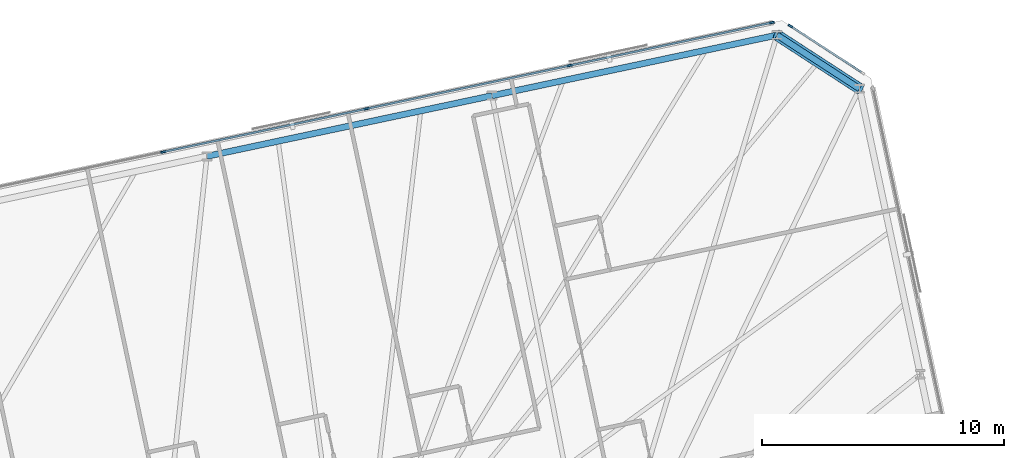
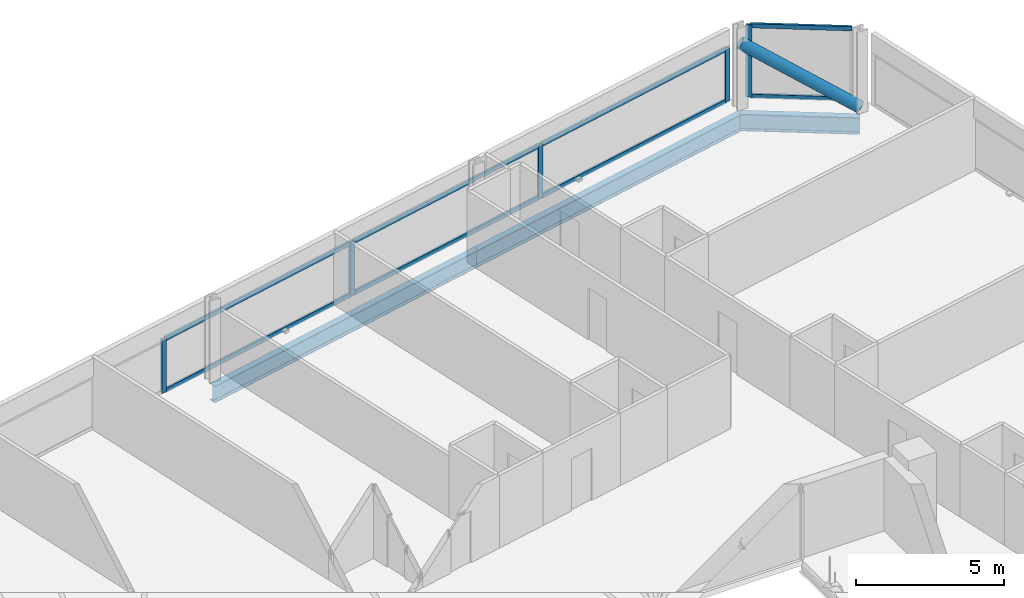
# One storey, part 11 of 20: 14 members, 3 beams, 2 elements without a shape of their own.
"""IFC4 building model written with IfcOpenShell, lengths in metres."""

from ifc_helpers import new_model, si_unit, direction, frame, origin, origin_2d, place, context, subcontext, project, spatial, rectangle, hollow_circle, i_section, extrude, material, material_profile, profile_set, type_object, element, aggregate, save


model = new_model("IFC4")

# Units and contexts
model_context = context("Model", 3, precision=1e-05, world=origin(), true_north=direction((0.0, 1.0)))
body_context = subcontext(model_context, "Body", "Model", "MODEL_VIEW")
ifc_project = project(units=[si_unit("LENGTHUNIT", "METRE"), si_unit("AREAUNIT", "SQUARE_METRE"), si_unit("VOLUMEUNIT", "CUBIC_METRE"), si_unit("PLANEANGLEUNIT", "RADIAN"), si_unit("MASSUNIT", "GRAM", prefix="KILO")], contexts=[model_context])

# Site, building, storey
site_placement = place(None, origin())
site = spatial("IfcSite", under=ifc_project, at=site_placement, CompositionType="ELEMENT")
building_placement = place(site_placement, origin())
building = spatial("IfcBuilding", under=site, at=building_placement, Name="Menara Jurai Vektor", CompositionType="ELEMENT")
storey_placement = place(building_placement, frame((0.0, 0.0, 199.0)))
storey = spatial("IfcBuildingStorey", under=building, at=storey_placement, Name="L52", CompositionType="ELEMENT", Elevation=199.0)

# Curtain wall, member
ifc_material_1 = material(Name="Anodised Pale Aluminium & Low-E Double Glazing", Category="aluminium")
curtain_wall_type = type_object("IfcCurtainWallType", Name="CW-BLK3", PredefinedType="NOTDEFINED", material=ifc_material_1)
curtain_wall_1_placement = place(storey_placement, origin())
curtain_wall_1 = element("IfcCurtainWall", 1, at=curtain_wall_1_placement, inside=storey, type_object=curtain_wall_type, Name="Unitised Curtain Wall L52 F04", PredefinedType="NOTDEFINED")
ifc_material_2 = material(Name="Anodised Pale Aluminium Mullion", Category="aluminium")
ifc_material_profile_1 = material_profile(ifc_material_2, rectangle(XDim=0.0849609375, YDim=0.205078125, at=origin_2d()), Name="ALU MUL 85x205")
ifc_profile_set_1 = profile_set([ifc_material_profile_1], Name="Anodised Pale Aluminium Mullion")
member_type_1 = type_object("IfcMemberType", Name="CW-BLK3-MUL", PredefinedType="MULLION", material=ifc_profile_set_1)
member_1_placement = place(storey_placement, frame((23.219970703125, 29.920654296875, 0.0), z_axis=(0.0, 0.0, 1.0), x_axis=(-0.544617794346, -0.838684361415, 0.0)))
member_1 = element("IfcMember", 2, at=member_1_placement, type_object=member_type_1, Name="CW-03 mullion 2", PredefinedType="MULLION", context=body_context, shape_type="SweptSolid", body=[
    extrude(rectangle(XDim=0.0849609375, YDim=0.205078125, at=origin_2d()), origin(), (0.0, 0.0, 1.0), 2.9951171875),
])

# Curtain wall, members
curtain_wall_2_placement = place(storey_placement, origin())
curtain_wall_2 = element("IfcCurtainWall", 3, at=curtain_wall_2_placement, inside=storey, type_object=curtain_wall_type, Name="Unitised Curtain Wall L52 F05", PredefinedType="NOTDEFINED")
member_2_placement = place(storey_placement, frame((22.452392578125, 30.062744140625, 0.0), z_axis=(0.0, 0.0, 1.0), x_axis=(0.207911344156, -0.978147674419, 0.0)))
member_2 = element("IfcMember", 4, at=member_2_placement, type_object=member_type_1, Name="CW-03 mullion 1", PredefinedType="MULLION", context=body_context, shape_type="SweptSolid", body=[
    extrude(rectangle(XDim=0.0849609375, YDim=0.205078125, at=origin_2d()), origin(), (0.0, 0.0, 1.0), 2.22509765625),
])
member_3_placement = place(storey_placement, frame((14.104248046875, 28.288330078125, 0.0), z_axis=(0.0, 0.0, 1.0), x_axis=(0.207911344156, -0.978147674419, 0.0)))
member_3 = element("IfcMember", 5, at=member_3_placement, type_object=member_type_1, Name="CW-03 mullion 2", PredefinedType="MULLION", context=body_context, shape_type="SweptSolid", body=[
    extrude(rectangle(XDim=0.0849609375, YDim=0.205078125, at=origin_2d()), origin(), (0.0, 0.0, 1.0), 2.22509765625),
])
member_4_placement = place(storey_placement, frame((5.71435546875, 26.505126953125, 0.0), z_axis=(0.0, 0.0, 1.0), x_axis=(0.207911344156, -0.978147674419, 0.0)))
member_4 = element("IfcMember", 6, at=member_4_placement, type_object=member_type_1, Name="CW-03 mullion 3", PredefinedType="MULLION", context=body_context, shape_type="SweptSolid", body=[
    extrude(rectangle(XDim=0.0849609375, YDim=0.205078125, at=origin_2d()), origin(), (0.0, 0.0, 1.0), 2.22509765625),
])
member_5_placement = place(storey_placement, frame((-2.67529296875, 24.721923828125, 0.0), z_axis=(0.0, 0.0, 1.0), x_axis=(0.207911344156, -0.978147674419, 0.0)))
member_5 = element("IfcMember", 7, at=member_5_placement, type_object=member_type_1, Name="CW-03 mullion 4", PredefinedType="MULLION", context=body_context, shape_type="SweptSolid", body=[
    extrude(rectangle(XDim=0.0849609375, YDim=0.205078125, at=origin_2d()), origin(), (0.0, 0.0, 1.0), 2.22509765625),
])

# Member
ifc_material_3 = material(Name="Anodised Pale Aluminium Transom", Category="aluminium")
ifc_material_profile_2 = material_profile(ifc_material_3, rectangle(XDim=0.0849609375, YDim=0.175048828125, at=origin_2d()), Name="ALU TRN 85x175")
ifc_profile_set_2 = profile_set([ifc_material_profile_2], Name="Anodised Pale Aluminium Transom")
member_type_2 = type_object("IfcMemberType", Name="CW-BLK3-TRN", PredefinedType="USERDEFINED", material=ifc_profile_set_2)
member_6_placement = place(storey_placement, frame((26.15234375, 28.016357421875, 0.04248046875), z_axis=(-0.83867770631, 0.54462804274, 0.0), x_axis=(-0.54462804274, -0.83867770631, 0.0)))
member_6 = element("IfcMember", 8, at=member_6_placement, type_object=member_type_2, Name="CW-03 transom 1.1", ObjectType="TRANSOM", PredefinedType="USERDEFINED", context=body_context, shape_type="SweptSolid", body=[
    extrude(rectangle(XDim=0.0849609375, YDim=0.175048828125, at=origin_2d()), origin(), (0.0, 0.0, 1.0), 3.453857421875),
])

member_7_placement = place(storey_placement, frame((26.15234375, 28.016357421875, 2.952392578125), z_axis=(-0.83867770631, 0.54462804274, 0.0), x_axis=(-0.54462804274, -0.83867770631, 0.0)))
member_7 = element("IfcMember", 9, at=member_7_placement, type_object=member_type_2, Name="CW-03 transom 1.2", ObjectType="TRANSOM", PredefinedType="USERDEFINED", context=body_context, shape_type="SweptSolid", body=[
    extrude(rectangle(XDim=0.0849609375, YDim=0.175048828125, at=origin_2d()), origin(), (0.0, 0.0, 1.0), 3.453857421875),
])

aggregate(curtain_wall_1, [member_1, member_6, member_7])

member_8_placement = place(storey_placement, frame((22.41064453125, 30.053955078125, 0.04248046875), z_axis=(-0.978151580361, -0.207892967261, 0.0), x_axis=(0.207892967261, -0.978151580361, 0.0)))
member_8 = element("IfcMember", 10, at=member_8_placement, type_object=member_type_2, Name="CW-03 transom 1.1", ObjectType="TRANSOM", PredefinedType="USERDEFINED", context=body_context, shape_type="SweptSolid", body=[
    extrude(rectangle(XDim=0.0849609375, YDim=0.175048828125, at=origin_2d()), origin(), (0.0, 0.0, 1.0), 8.449462890625),
])

member_9_placement = place(storey_placement, frame((22.41064453125, 30.053955078125, 2.1826171875), z_axis=(-0.978151580361, -0.207892967261, 0.0), x_axis=(0.207892967261, -0.978151580361, 0.0)))
member_9 = element("IfcMember", 11, at=member_9_placement, type_object=member_type_2, Name="CW-03 transom 1.2", ObjectType="TRANSOM", PredefinedType="USERDEFINED", context=body_context, shape_type="SweptSolid", body=[
    extrude(rectangle(XDim=0.0849609375, YDim=0.175048828125, at=origin_2d()), origin(), (0.0, 0.0, 1.0), 8.449462890625),
])

member_10_placement = place(storey_placement, frame((14.0625, 28.279541015625, 0.04248046875), z_axis=(-0.978146500933, -0.207916864907, 0.0), x_axis=(0.207916864907, -0.978146500933, 0.0)))
member_10 = element("IfcMember", 12, at=member_10_placement, type_object=member_type_2, Name="CW-03 transom 2.1", ObjectType="TRANSOM", PredefinedType="USERDEFINED", context=body_context, shape_type="SweptSolid", body=[
    extrude(rectangle(XDim=0.0849609375, YDim=0.175048828125, at=origin_2d()), origin(), (0.0, 0.0, 1.0), 8.491943359375),
])

member_11_placement = place(storey_placement, frame((14.0625, 28.279541015625, 2.1826171875), z_axis=(-0.978146500933, -0.207916864907, 0.0), x_axis=(0.207916864907, -0.978146500933, 0.0)))
member_11 = element("IfcMember", 13, at=member_11_placement, type_object=member_type_2, Name="CW-03 transom 2.2", ObjectType="TRANSOM", PredefinedType="USERDEFINED", context=body_context, shape_type="SweptSolid", body=[
    extrude(rectangle(XDim=0.0849609375, YDim=0.175048828125, at=origin_2d()), origin(), (0.0, 0.0, 1.0), 8.491943359375),
])

member_12_placement = place(storey_placement, frame((5.6728515625, 26.496337890625, 0.04248046875), z_axis=(-0.978147743708, -0.207911018178, 0.0), x_axis=(0.207911018178, -0.978147743708, 0.0)))
member_12 = element("IfcMember", 14, at=member_12_placement, type_object=member_type_2, Name="CW-03 transom 3.1", ObjectType="TRANSOM", PredefinedType="USERDEFINED", context=body_context, shape_type="SweptSolid", body=[
    extrude(rectangle(XDim=0.0849609375, YDim=0.175048828125, at=origin_2d()), origin(), (0.0, 0.0, 1.0), 8.4921875),
])

member_13_placement = place(storey_placement, frame((5.6728515625, 26.496337890625, 2.1826171875), z_axis=(-0.978147743708, -0.207911018178, 0.0), x_axis=(0.207911018178, -0.978147743708, 0.0)))
member_13 = element("IfcMember", 15, at=member_13_placement, type_object=member_type_2, Name="CW-03 transom 3.2", ObjectType="TRANSOM", PredefinedType="USERDEFINED", context=body_context, shape_type="SweptSolid", body=[
    extrude(rectangle(XDim=0.0849609375, YDim=0.175048828125, at=origin_2d()), origin(), (0.0, 0.0, 1.0), 8.4921875),
])

aggregate(curtain_wall_2, [member_2, member_3, member_4, member_5, member_8, member_9, member_10, member_11, member_12, member_13])

ifc_material_4 = material(Name="Steel S460", Category="steel")
ifc_material_profile_3 = material_profile(ifc_material_4, hollow_circle(Radius=0.228515625, WallThickness=0.01611328125, at=origin_2d()), Name="CHS 457x16")
ifc_profile_set_3 = profile_set([ifc_material_profile_3], Name="Steel S460")
member_type_3 = type_object("IfcMemberType", Name="STR-BR-457", PredefinedType="BRACE", material=ifc_profile_set_3)
member_14_placement = place(storey_placement, frame((26.0712890625, 27.33349609375, 0.14990234375), z_axis=(-0.714612245871, 0.464065187403, 0.523424149129), x_axis=(-0.544631249681, -0.838675623749, 0.0)))
element("IfcMember", 16, at=member_14_placement, inside=storey, type_object=member_type_3, Name="Exoskeleton Corner Brace L52-2", PredefinedType="BRACE", context=body_context, shape_type="SweptSolid", body=[
    extrude(hollow_circle(Radius=0.228515625, WallThickness=0.01611328125, at=origin_2d()), origin(), (0.0, 0.0, 1.0), 4.766845703125),
])

# Beams
ifc_material_profile_4 = material_profile(ifc_material_4, i_section(OverallWidth=0.256103515625, OverallDepth=0.693115234375, WebThickness=0.013916015625, FlangeThickness=0.02392578125, FilletRadius=0.014892578125, at=origin_2d()), Name="UKB 686x254x170")
ifc_profile_set_4 = profile_set([ifc_material_profile_4], Name="Steel S460")
beam_type = type_object("IfcBeamType", Name="STR-SP-686", PredefinedType="SPANDREL", material=ifc_profile_set_4)
beam_1_placement = place(storey_placement, frame((26.0712890625, 27.33349609375, -0.571533203125), z_axis=(-0.838675623749, 0.544631249681, 0.0), x_axis=(-0.544631249681, -0.838675623749, 0.0)))
element("IfcBeam", 17, at=beam_1_placement, inside=storey, type_object=beam_type, Name="Exoskeleton Spandrel Beam L52-10", PredefinedType="SPANDREL", context=body_context, shape_type="SweptSolid", body=[
    extrude(i_section(OverallWidth=0.256103515625, OverallDepth=0.693115234375, WebThickness=0.013916015625, FlangeThickness=0.02392578125, FilletRadius=0.014892578125, at=origin_2d()), origin(), (0.0, 0.0, 1.0), 4.061767578125),
])
beam_2_placement = place(storey_placement, frame((22.664794921875, 29.545654296875, -0.571533203125), z_axis=(-0.978147039247, -0.207914332389, 0.0), x_axis=(0.207914332389, -0.978147039247, 0.0)))
element("IfcBeam", 18, at=beam_2_placement, inside=storey, type_object=beam_type, Name="Exoskeleton Spandrel Beam L52-11", PredefinedType="SPANDREL", context=body_context, shape_type="SweptSolid", body=[
    extrude(i_section(OverallWidth=0.256103515625, OverallDepth=0.693115234375, WebThickness=0.013916015625, FlangeThickness=0.02392578125, FilletRadius=0.014892578125, at=origin_2d()), origin(), (0.0, 0.0, 1.0), 12.03125),
])
beam_3_placement = place(storey_placement, frame((10.896484375, 27.044189453125, -0.571533203125), z_axis=(-0.978150288855, -0.207899043801, 0.0), x_axis=(0.207899043801, -0.978150288855, 0.0)))
element("IfcBeam", 19, at=beam_3_placement, inside=storey, type_object=beam_type, Name="Exoskeleton Spandrel Beam L52-12", PredefinedType="SPANDREL", context=body_context, shape_type="SweptSolid", body=[
    extrude(i_section(OverallWidth=0.256103515625, OverallDepth=0.693115234375, WebThickness=0.013916015625, FlangeThickness=0.02392578125, FilletRadius=0.014892578125, at=origin_2d()), origin(), (0.0, 0.0, 1.0), 12.031005859375),
])

save(model, "model.ifc")
